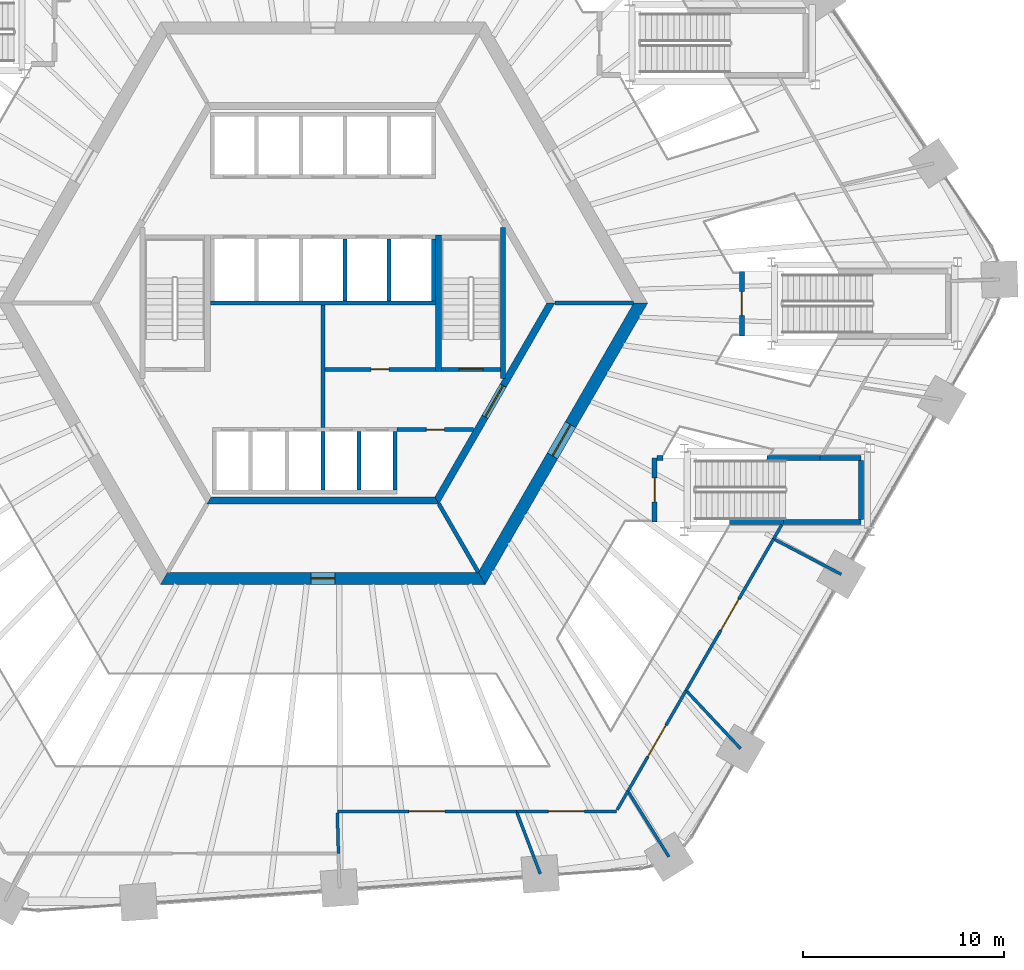
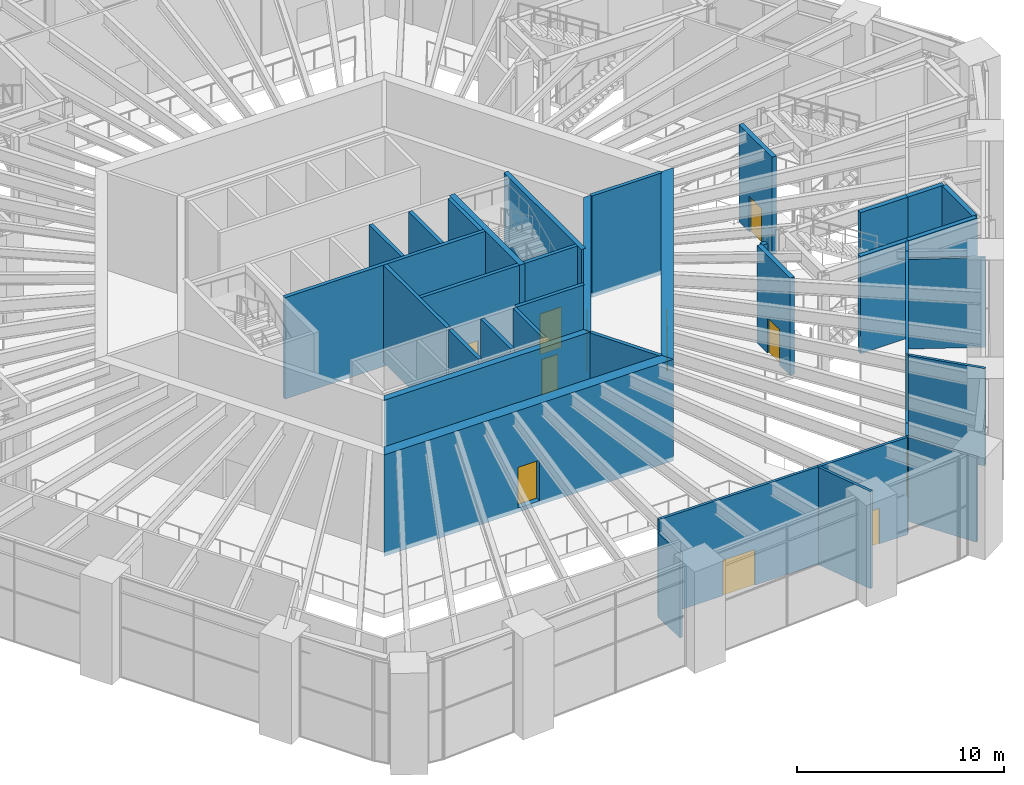
# One storey, part 22 of 32: 38 walls, 12 doors, 12 openings.
"""IFC4 building model written with IfcOpenShell, lengths in metres."""

from ifc_helpers import new_model, si_unit, direction, frame, frame_2d, origin, place, context, subcontext, project, spatial, polyline, rectangle, outline, extrude, material, layer, layer_set, type_object, element, fill, save


model = new_model("IFC4")

# Units and contexts
model_context = context("Model", 3, precision=1e-05, world=origin(), true_north=direction((0.0, 1.0)))
body_context = subcontext(model_context, "Body", "Model", "MODEL_VIEW")
ifc_project = project(units=[si_unit("LENGTHUNIT", "METRE"), si_unit("AREAUNIT", "SQUARE_METRE"), si_unit("VOLUMEUNIT", "CUBIC_METRE"), si_unit("PLANEANGLEUNIT", "RADIAN"), si_unit("MASSUNIT", "GRAM", prefix="KILO")], contexts=[model_context])

# Site, building, storey
site_placement = place(None, origin())
site = spatial("IfcSite", under=ifc_project, at=site_placement, CompositionType="ELEMENT")
building_placement = place(site_placement, origin())
building = spatial("IfcBuilding", under=site, at=building_placement, Name="Tarnside Tower", CompositionType="ELEMENT")
storey_placement = place(building_placement, frame((0.0, 0.0, 9.0)))
storey = spatial("IfcBuildingStorey", under=building, at=storey_placement, Name="L01", CompositionType="ELEMENT", Elevation=9.0)

# Wall
ifc_material_1 = material(Name="Concrete C50/60", Category="concrete")
ifc_layer_1 = layer(ifc_material_1, 0.35009765625)
ifc_layer_set_1 = layer_set([ifc_layer_1], Name="Core block wall 350 C50/60")
wall_type_1 = type_object("IfcWallType", Name="Core block wall 350 C50/60", PredefinedType="SHEAR", material=ifc_layer_set_1)
wall_1_placement = place(storey_placement, frame((-5.672607421875, -9.824951171875, -0.25), z_axis=(0.0, 0.0, 1.0), x_axis=(1.0, 0.0, 0.0)))
element("IfcWall", 1, at=wall_1_placement, inside=storey, type_object=wall_type_1, Name="L01 core block wall face 4", PredefinedType="SHEAR", context=body_context, shape_type="SweptSolid", body=[
    extrude(outline(polyline([(-0.10107421875, -0.175048828125), (11.4462890625, -0.175048828125), (11.244140625, 0.175048828125), (0.10107421875, 0.175048828125), (-0.10107421875, -0.175048828125)])), origin(), (0.0, 0.0, 1.0), 6.0),
])

# Wall, opening, door
wall_2_placement = place(storey_placement, frame((5.672607421875, -9.824951171875, -0.25), z_axis=(0.0, 0.0, 1.0), x_axis=(0.499995046907, 0.866028263435, 0.0)))
wall_2 = element("IfcWall", 2, at=wall_2_placement, inside=storey, type_object=wall_type_1, Name="L01 core block wall face 5", PredefinedType="SHEAR", context=body_context, shape_type="SweptSolid", body=[
    extrude(outline(polyline([(-0.10107421875, -0.175048828125), (11.44580078125, -0.175048828125), (11.24365234375, 0.175048828125), (0.10107421875, 0.175048828125), (-0.10107421875, -0.175048828125)])), origin(), (0.0, 0.0, 1.0), 6.0),
])
opening_1_placement = place(wall_2_placement, frame((4.80126953125, 0.0, 0.25)))
opening_1 = element("IfcOpeningElement", 3, at=opening_1_placement, cuts=wall_2, Name="Opening CD-FFL", PredefinedType="OPENING", context=body_context, shape_type="SweptSolid", body=[
    extrude(rectangle(XDim=1.800048828125, YDim=2.39990234375, at=frame_2d((0.89990234375, 1.199951171875))), frame((0.0, 0.18505859375, 0.0), z_axis=(0.0, -1.0, 0.0), x_axis=(1.0, 0.0, 0.0)), (0.0, 0.0, 1.0), 0.3701171875),
])
ifc_material_2 = material(Name="Steel fire door", Category="steel")
door_type_1 = type_object("IfcDoorType", Name="Firefighting lobby double door FD60S 1800x2400", OperationType="NOTDEFINED", PredefinedType="DOOR", material=ifc_material_2)
door_1_placement = place(opening_1_placement, origin())
door_1 = element("IfcDoor", 4, at=door_1_placement, inside=storey, type_object=door_type_1, Name="L01 lobby block door P4", OperationType="DOUBLE_DOOR_SINGLE_SWING", OverallHeight=2.39990234375, OverallWidth=1.800048828125, PredefinedType="DOOR", context=body_context, shape_type="SweptSolid", body=[
    extrude(rectangle(XDim=1.800048828125, YDim=2.39990234375, at=frame_2d((0.89990234375, 1.199951171875))), frame((0.0, 0.02490234375, 0.0), z_axis=(0.0, -1.0, 0.0), x_axis=(1.0, 0.0, 0.0)), (0.0, 0.0, 1.0), 0.050048828125),
])
fill(opening_1, door_1)

ifc_material_3 = material(Name="Concrete C40/50", Category="concrete")
ifc_layer_2 = layer(ifc_material_3, 0.199951171875)
ifc_layer_set_2 = layer_set([ifc_layer_2], Name="Core room partition 200 C40/50")
wall_type_2 = type_object("IfcWallType", Name="Core room partition 200 C40/50", PredefinedType="PARTITIONING", material=ifc_layer_set_2)
wall_3_placement = place(storey_placement, frame((0.10009765625, -3.300048828125, 0.0), z_axis=(0.0, 0.0, 1.0), x_axis=(1.0, 0.0, 0.0)))
wall_3 = element("IfcWall", 5, at=wall_3_placement, inside=storey, type_object=wall_type_2, Name="L01 core partition R3S1", PredefinedType="PARTITIONING", context=body_context, shape_type="SweptSolid", body=[
    extrude(rectangle(XDim=5.5, YDim=0.199951171875, at=frame_2d((2.75, 0.0))), origin(), (0.0, 0.0, 1.0), 5.75),
])
opening_2_placement = place(wall_3_placement, frame((2.300048828125, 0.0, 0.0)))
opening_2 = element("IfcOpeningElement", 6, at=opening_2_placement, cuts=wall_3, Name="Opening CD-room", PredefinedType="OPENING", context=body_context, shape_type="SweptSolid", body=[
    extrude(rectangle(XDim=0.89990234375, YDim=2.10009765625, at=frame_2d((0.449951171875, 1.050048828125))), frame((0.0, 0.10986328125, 0.0), z_axis=(0.0, -1.0, 0.0), x_axis=(1.0, 0.0, 0.0)), (0.0, 0.0, 1.0), 0.219970703125),
])
door_type_2 = type_object("IfcDoorType", Name="Room door FD60 900x2100", OperationType="NOTDEFINED", PredefinedType="DOOR", material=ifc_material_2)
door_2_placement = place(opening_2_placement, origin())
door_2 = element("IfcDoor", 7, at=door_2_placement, inside=storey, type_object=door_type_2, Name="L01 core room door SR1", OperationType="SINGLE_SWING_LEFT", OverallHeight=2.10009765625, OverallWidth=0.89990234375, PredefinedType="DOOR", context=body_context, shape_type="SweptSolid", body=[
    extrude(rectangle(XDim=0.89990234375, YDim=2.10009765625, at=frame_2d((0.449951171875, 1.050048828125))), frame((0.0, 0.02490234375, 0.0), z_axis=(0.0, -1.0, 0.0), x_axis=(1.0, 0.0, 0.0)), (0.0, 0.0, 1.0), 0.050048828125),
])
fill(opening_2, door_2)

# Wall
wall_4_placement = place(storey_placement, frame((0.0, -6.199951171875, 0.0), z_axis=(0.0, 0.0, 1.0), x_axis=(0.0, 1.0, 0.0)))
element("IfcWall", 8, at=wall_4_placement, inside=storey, type_object=wall_type_2, Name="L01 core partition X0", PredefinedType="PARTITIONING", context=body_context, shape_type="SweptSolid", body=[
    extrude(rectangle(XDim=6.099853515625, YDim=0.199951171875, at=frame_2d((3.0498046875, 0.0))), origin(), (0.0, 0.0, 1.0), 5.75),
])

# Wall, opening, door
wall_5_placement = place(storey_placement, frame((3.699951171875, -6.300048828125, 0.0), z_axis=(0.0, 0.0, 1.0), x_axis=(1.0, 0.0, 0.0)))
wall_5 = element("IfcWall", 9, at=wall_5_placement, inside=storey, type_object=wall_type_2, Name="L01 core partition R4X", PredefinedType="PARTITIONING", context=body_context, shape_type="SweptSolid", body=[
    extrude(rectangle(XDim=3.8056640625, YDim=0.199951171875, at=frame_2d((1.90283203125, 0.0))), origin(), (0.0, 0.0, 1.0), 5.75),
])
opening_3_placement = place(wall_5_placement, frame((1.452880859375, 0.0, 0.0)))
opening_3 = element("IfcOpeningElement", 10, at=opening_3_placement, cuts=wall_5, Name="Opening CD-room", PredefinedType="OPENING", context=body_context, shape_type="SweptSolid", body=[
    extrude(rectangle(XDim=0.89990234375, YDim=2.10009765625, at=frame_2d((0.449951171875, 1.050048828125))), frame((0.0, 0.10986328125, 0.0), z_axis=(0.0, -1.0, 0.0), x_axis=(1.0, 0.0, 0.0)), (0.0, 0.0, 1.0), 0.219970703125),
])
door_3_placement = place(opening_3_placement, origin())
door_3 = element("IfcDoor", 11, at=door_3_placement, inside=storey, type_object=door_type_2, Name="L01 core room door RX", OperationType="SINGLE_SWING_LEFT", OverallHeight=2.10009765625, OverallWidth=0.89990234375, PredefinedType="DOOR", context=body_context, shape_type="SweptSolid", body=[
    extrude(rectangle(XDim=0.89990234375, YDim=2.10009765625, at=frame_2d((0.449951171875, 1.050048828125))), frame((0.0, 0.02490234375, 0.0), z_axis=(0.0, -1.0, 0.0), x_axis=(1.0, 0.0, 0.0)), (0.0, 0.0, 1.0), 0.050048828125),
])
fill(opening_3, door_3)

ifc_material_4 = material(Name="Concrete C80/95", Category="concrete")
ifc_layer_3 = layer(ifc_material_4, 0.60009765625)
ifc_layer_set_3 = layer_set([ifc_layer_3], Name="Core wall Z1 600 C80/95")
wall_type_3 = type_object("IfcWallType", Name="Core wall Z1 600 C80/95", PredefinedType="SHEAR", material=ifc_layer_set_3)
wall_6_placement = place(storey_placement, frame((-7.90966796875, -13.699951171875, -0.25), z_axis=(0.0, 0.0, 1.0), x_axis=(1.0, 0.0, 0.0)))
wall_6 = element("IfcWall", 12, at=wall_6_placement, inside=storey, type_object=wall_type_3, Name="L01 core wall face 4", PredefinedType="SHEAR", context=body_context, shape_type="SweptSolid", body=[
    extrude(outline(polyline([(-0.17333984375, -0.300048828125), (15.99267578125, -0.300048828125), (15.64599609375, 0.300048828125), (0.17333984375, 0.300048828125), (-0.17333984375, -0.300048828125)])), origin(), (0.0, 0.0, 1.0), 6.0),
])
opening_4_placement = place(wall_6_placement, frame((7.309814453125, 0.0, 0.25)))
opening_4 = element("IfcOpeningElement", 13, at=opening_4_placement, cuts=wall_6, Name="Opening CD-RSR", PredefinedType="OPENING", context=body_context, shape_type="SweptSolid", body=[
    extrude(rectangle(XDim=1.199951171875, YDim=2.39990234375, at=frame_2d((0.60009765625, 1.199951171875))), frame((0.0, 0.31005859375, 0.0), z_axis=(0.0, -1.0, 0.0), x_axis=(1.0, 0.0, 0.0)), (0.0, 0.0, 1.0), 0.6201171875),
])
door_type_3 = type_object("IfcDoorType", Name="Riser door FD60 1200x2400", OperationType="NOTDEFINED", PredefinedType="DOOR", material=ifc_material_2)
door_4_placement = place(opening_4_placement, origin())
door_4 = element("IfcDoor", 14, at=door_4_placement, inside=storey, type_object=door_type_3, Name="L01 core door S6", OperationType="SINGLE_SWING_LEFT", OverallHeight=2.39990234375, OverallWidth=1.199951171875, PredefinedType="DOOR", context=body_context, shape_type="SweptSolid", body=[
    extrude(rectangle(XDim=1.199951171875, YDim=2.39990234375, at=frame_2d((0.60009765625, 1.199951171875))), frame((0.0, 0.02490234375, 0.0), z_axis=(0.0, -1.0, 0.0), x_axis=(1.0, 0.0, 0.0)), (0.0, 0.0, 1.0), 0.050048828125),
])
fill(opening_4, door_4)

wall_7_placement = place(storey_placement, frame((7.90966796875, -13.699951171875, -0.25), z_axis=(0.0, 0.0, 1.0), x_axis=(0.499999880136, 0.866025472988, 0.0)))
wall_7 = element("IfcWall", 15, at=wall_7_placement, inside=storey, type_object=wall_type_3, Name="L01 core wall face 5", PredefinedType="SHEAR", context=body_context, shape_type="SweptSolid", body=[
    extrude(outline(polyline([(-0.17333984375, -0.300048828125), (15.99267578125, -0.300048828125), (15.64599609375, 0.300048828125), (0.17333984375, 0.300048828125), (-0.17333984375, -0.300048828125)])), origin(), (0.0, 0.0, 1.0), 6.0),
])
opening_5_placement = place(wall_7_placement, frame((7.03857421875, 0.0, 0.25)))
opening_5 = element("IfcOpeningElement", 16, at=opening_5_placement, cuts=wall_7, Name="Opening CD-FFL", PredefinedType="OPENING", context=body_context, shape_type="SweptSolid", body=[
    extrude(rectangle(XDim=1.800048828125, YDim=2.39990234375, at=frame_2d((0.89990234375, 1.199951171875))), frame((0.0, 0.31005859375, 0.0), z_axis=(0.0, -1.0, 0.0), x_axis=(1.0, 0.0, 0.0)), (0.0, 0.0, 1.0), 0.6201171875),
])
door_5_placement = place(opening_5_placement, origin())
door_5 = element("IfcDoor", 17, at=door_5_placement, inside=storey, type_object=door_type_1, Name="L01 core door P4", OperationType="DOUBLE_DOOR_SINGLE_SWING", OverallHeight=2.39990234375, OverallWidth=1.800048828125, PredefinedType="DOOR", context=body_context, shape_type="SweptSolid", body=[
    extrude(rectangle(XDim=1.800048828125, YDim=2.39990234375, at=frame_2d((0.89990234375, 1.199951171875))), frame((0.0, 0.02490234375, 0.0), z_axis=(0.0, -1.0, 0.0), x_axis=(1.0, 0.0, 0.0)), (0.0, 0.0, 1.0), 0.050048828125),
])
fill(opening_5, door_5)

# Walls
ifc_layer_4 = layer(ifc_material_3, 0.199951171875)
ifc_layer_set_4 = layer_set([ifc_layer_4], Name="Lift shaft wall 200 C40/50")
wall_type_4 = type_object("IfcWallType", Name="Lift shaft wall 200 C40/50", PredefinedType="SHEAR", material=ifc_layer_set_4)
wall_8_placement = place(storey_placement, frame((-5.60009765625, 0.0, -0.25), z_axis=(0.0, 0.0, 1.0), x_axis=(1.0, 0.0, 0.0)))
element("IfcWall", 18, at=wall_8_placement, inside=storey, type_object=wall_type_4, Name="L01 lift shaft back wall R2", PredefinedType="SHEAR", context=body_context, shape_type="SweptSolid", body=[
    extrude(rectangle(XDim=11.2001953125, YDim=0.199951171875, at=frame_2d((5.60009765625, 0.0))), origin(), (0.0, 0.0, 1.0), 6.0),
])
for number, where, z_axis, x_axis, name in (
    (19, (1.10009765625, 0.10009765625, -0.25), (0.0, 0.0, 1.0), (0.0, 1.0, 0.0), "L01 lift shaft partition R24"),
    (20, (3.300048828125, 0.10009765625, -0.25), (0.0, 0.0, 1.0), (0.0, 1.0, 0.0), "L01 lift shaft partition R25"),
    (21, (5.5, 0.10009765625, -0.25), (0.0, 0.0, 1.0), (0.0, 1.0, 0.0), "L01 lift shaft partition R26"),
):
    element("IfcWall", number, at=place(storey_placement, frame(where, z_axis=z_axis, x_axis=x_axis)), inside=storey, type_object=wall_type_4, Name=name, PredefinedType="SHEAR", context=body_context, shape_type="SweptSolid", body=[
        extrude(rectangle(XDim=3.099853515625, YDim=0.199951171875, at=frame_2d((1.5498046875, 0.0))), origin(), (0.0, 0.0, 1.0), 6.0),
    ])
for number, where, z_axis, x_axis, name in (
    (22, (0.0, -9.300048828125, -0.25), (0.0, 0.0, 1.0), (0.0, 1.0, 0.0), "L01 lift shaft partition R44"),
    (23, (1.800048828125, -9.300048828125, -0.25), (0.0, 0.0, 1.0), (0.0, 1.0, 0.0), "L01 lift shaft partition R45"),
    (24, (3.60009765625, -9.300048828125, -0.25), (0.0, 0.0, 1.0), (0.0, 1.0, 0.0), "L01 lift shaft partition R46"),
):
    element("IfcWall", number, at=place(storey_placement, frame(where, z_axis=z_axis, x_axis=x_axis)), inside=storey, type_object=wall_type_4, Name=name, PredefinedType="SHEAR", context=body_context, shape_type="SweptSolid", body=[
        extrude(rectangle(XDim=2.900146484375, YDim=0.199951171875, at=frame_2d((1.4501953125, 0.0))), origin(), (0.0, 0.0, 1.0), 6.0),
    ])
wall_9_placement = place(storey_placement, frame((11.547119140625, 0.0, -0.25), z_axis=(0.0, 0.0, 1.0), x_axis=(1.0, 0.0, 0.0)))
element("IfcWall", 25, at=wall_9_placement, inside=storey, type_object=wall_type_4, Name="L01 core partition AR0", PredefinedType="SHEAR", context=body_context, shape_type="SweptSolid", body=[
    extrude(rectangle(XDim=3.92578125, YDim=0.199951171875, at=frame_2d((1.962890625, 0.0))), origin(), (0.0, 0.0, 1.0), 6.0),
])
wall_10_placement = place(storey_placement, frame((5.7734375, -10.0, -0.25), z_axis=(0.0, 0.0, 1.0), x_axis=(0.500038251005, -0.86600331843, 0.0)))
element("IfcWall", 26, at=wall_10_placement, inside=storey, type_object=wall_type_4, Name="L01 core partition AR300", PredefinedType="SHEAR", context=body_context, shape_type="SweptSolid", body=[
    extrude(rectangle(XDim=3.926025390625, YDim=0.199951171875, at=frame_2d((1.962890625, 0.0))), origin(), (0.0, 0.0, 1.0), 6.0),
])

# Wall, opening, door
wall_11_placement = place(storey_placement, frame((5.89990234375, -3.300048828125, -0.25), z_axis=(0.0, 0.0, 1.0), x_axis=(1.0, 0.0, 0.0)))
wall_11 = element("IfcWall", 27, at=wall_11_placement, inside=storey, type_object=wall_type_4, Name="L01 stair 1 enclosure cap wall s", PredefinedType="SHEAR", context=body_context, shape_type="SweptSolid", body=[
    extrude(rectangle(XDim=2.9501953125, YDim=0.199951171875, at=frame_2d((1.47509765625, 0.0))), origin(), (0.0, 0.0, 1.0), 6.0),
])
opening_6_placement = place(wall_11_placement, frame((0.875, 0.0, 0.25)))
opening_6 = element("IfcOpeningElement", 28, at=opening_6_placement, cuts=wall_11, Name="Opening CD-STR", PredefinedType="OPENING", context=body_context, shape_type="SweptSolid", body=[
    extrude(rectangle(XDim=1.199951171875, YDim=2.39990234375, at=frame_2d((0.60009765625, 1.199951171875))), frame((0.0, 0.10986328125, 0.0), z_axis=(0.0, -1.0, 0.0), x_axis=(1.0, 0.0, 0.0)), (0.0, 0.0, 1.0), 0.219970703125),
])
door_type_4 = type_object("IfcDoorType", Name="Stair door FD60S 1200x2400", OperationType="NOTDEFINED", PredefinedType="DOOR", material=ifc_material_2)
door_6_placement = place(opening_6_placement, origin())
door_6 = element("IfcDoor", 29, at=door_6_placement, inside=storey, type_object=door_type_4, Name="L01 stair 1 door", OperationType="SINGLE_SWING_LEFT", OverallHeight=2.39990234375, OverallWidth=1.199951171875, PredefinedType="DOOR", context=body_context, shape_type="SweptSolid", body=[
    extrude(rectangle(XDim=1.199951171875, YDim=2.39990234375, at=frame_2d((0.60009765625, 1.199951171875))), frame((0.0, 0.02490234375, 0.0), z_axis=(0.0, -1.0, 0.0), x_axis=(1.0, 0.0, 0.0)), (0.0, 0.0, 1.0), 0.050048828125),
])
fill(opening_6, door_6)

ifc_material_5 = material(Name="Gypsum board")
ifc_layer_5 = layer(ifc_material_5, 0.14990234375)
ifc_layer_set_5 = layer_set([ifc_layer_5], Name="Partition 150 gypsum board on metal stud")
wall_type_5 = type_object("IfcWallType", Name="Partition 150 gypsum board on metal stud", PredefinedType="PARTITIONING", material=ifc_layer_set_5)
wall_12_placement = place(storey_placement, frame((9.635009765625, -25.300048828125, 0.0), z_axis=(0.0, 0.0, 1.0), x_axis=(-1.0, 0.0, 0.0)))
wall_12 = element("IfcWall", 30, at=wall_12_placement, inside=storey, type_object=wall_type_5, Name="Partition 047", PredefinedType="PARTITIONING", context=body_context, shape_type="SweptSolid", body=[
    extrude(rectangle(XDim=8.9208984375, YDim=0.14990234375, at=frame_2d((4.46044921875, 0.0))), origin(), (0.0, 0.0, 1.0), 5.75),
])
opening_7_placement = place(wall_12_placement, frame((3.560546875, 0.0, 0.0)))
opening_7 = element("IfcOpeningElement", 31, at=opening_7_placement, cuts=wall_12, Name="Opening D1800F30", PredefinedType="OPENING", context=body_context, shape_type="SweptSolid", body=[
    extrude(rectangle(XDim=1.800048828125, YDim=2.10009765625, at=frame_2d((0.89990234375, 1.050048828125))), frame((0.0, 0.0849609375, 0.0), z_axis=(0.0, -1.0, 0.0), x_axis=(1.0, 0.0, 0.0)), (0.0, 0.0, 1.0), 0.169921875),
])
ifc_material_6 = material(Name="Timber door leaf", Category="wood")
door_type_5 = type_object("IfcDoorType", Name="Door pair 1800 x 2100 FD30S fire door", OperationType="NOTDEFINED", PredefinedType="DOOR", material=ifc_material_6)
door_7_placement = place(opening_7_placement, origin())
door_7 = element("IfcDoor", 32, at=door_7_placement, inside=storey, type_object=door_type_5, Name="Door L01-14", OperationType="DOUBLE_DOOR_SINGLE_SWING", OverallHeight=2.10009765625, OverallWidth=1.800048828125, PredefinedType="DOOR", context=body_context, shape_type="SweptSolid", body=[
    extrude(rectangle(XDim=1.800048828125, YDim=2.10009765625, at=frame_2d((0.89990234375, 1.050048828125))), frame((0.0, 0.02490234375, 0.0), z_axis=(0.0, -1.0, 0.0), x_axis=(1.0, 0.0, 0.0)), (0.0, 0.0, 1.0), 0.050048828125),
])
fill(opening_7, door_7)

# Wall
wall_13_placement = place(storey_placement, frame((0.77392578125, -27.409912109375, 0.0), z_axis=(0.0, 0.0, 1.0), x_axis=(-0.028422825387, 0.999595989886, 0.0)))
element("IfcWall", 33, at=wall_13_placement, inside=storey, type_object=wall_type_5, Name="Partition 048", PredefinedType="PARTITIONING", context=body_context, shape_type="SweptSolid", body=[
    extrude(rectangle(XDim=2.03564453125, YDim=0.14990234375, at=frame_2d((1.017822265625, 0.0))), origin(), (0.0, 0.0, 1.0), 4.99609375),
])

# Wall, opening, door
wall_14_placement = place(storey_placement, frame((14.60693359375, -25.300048828125, 0.0), z_axis=(0.0, 0.0, 1.0), x_axis=(-1.0, 0.0, 0.0)))
wall_14 = element("IfcWall", 34, at=wall_14_placement, inside=storey, type_object=wall_type_5, Name="Partition 052", PredefinedType="PARTITIONING", context=body_context, shape_type="SweptSolid", body=[
    extrude(rectangle(XDim=4.971923828125, YDim=0.14990234375, at=frame_2d((2.48583984375, 0.0))), origin(), (0.0, 0.0, 1.0), 5.75),
])
opening_8_placement = place(wall_14_placement, frame((1.5859375, 0.0, 0.0)))
opening_8 = element("IfcOpeningElement", 35, at=opening_8_placement, cuts=wall_14, Name="Opening D1800F30", PredefinedType="OPENING", context=body_context, shape_type="SweptSolid", body=[
    extrude(rectangle(XDim=1.800048828125, YDim=2.10009765625, at=frame_2d((0.89990234375, 1.050048828125))), frame((0.0, 0.0849609375, 0.0), z_axis=(0.0, -1.0, 0.0), x_axis=(1.0, 0.0, 0.0)), (0.0, 0.0, 1.0), 0.169921875),
])
door_8_placement = place(opening_8_placement, origin())
door_8 = element("IfcDoor", 36, at=door_8_placement, inside=storey, type_object=door_type_5, Name="Door L01-16", OperationType="DOUBLE_DOOR_SINGLE_SWING", OverallHeight=2.10009765625, OverallWidth=1.800048828125, PredefinedType="DOOR", context=body_context, shape_type="SweptSolid", body=[
    extrude(rectangle(XDim=1.800048828125, YDim=2.10009765625, at=frame_2d((0.89990234375, 1.050048828125))), frame((0.0, 0.02490234375, 0.0), z_axis=(0.0, -1.0, 0.0), x_axis=(1.0, 0.0, 0.0)), (0.0, 0.0, 1.0), 0.050048828125),
])
fill(opening_8, door_8)

# Walls
wall_15_placement = place(storey_placement, frame((10.821044921875, -28.4140625, 0.0), z_axis=(0.0, 0.0, 1.0), x_axis=(-0.355923523558, 0.934515085688, 0.0)))
element("IfcWall", 37, at=wall_15_placement, inside=storey, type_object=wall_type_5, Name="Partition 053", PredefinedType="PARTITIONING", context=body_context, shape_type="SweptSolid", body=[
    extrude(rectangle(XDim=3.251953125, YDim=0.14990234375, at=frame_2d((1.6259765625, 0.0))), origin(), (0.0, 0.0, 1.0), 5.75),
])
wall_16_placement = place(storey_placement, frame((14.650390625, -25.22509765625, 0.0), z_axis=(0.0, 0.0, 1.0), x_axis=(0.49972905027, 0.86618178018, 0.0)))
element("IfcWall", 38, at=wall_16_placement, inside=storey, type_object=wall_type_5, Name="Partition 056", PredefinedType="PARTITIONING", context=body_context, shape_type="SweptSolid", body=[
    extrude(rectangle(XDim=1.06787109375, YDim=0.14990234375, at=frame_2d((0.533935546875, 0.0))), origin(), (0.0, 0.0, 1.0), 5.75),
])

# Wall, opening, door
wall_17_placement = place(storey_placement, frame((18.080078125, -19.284912109375, 0.0), z_axis=(0.0, 0.0, 1.0), x_axis=(-0.500065471556, -0.865987600464, 0.0)))
wall_17 = element("IfcWall", 39, at=wall_17_placement, inside=storey, type_object=wall_type_5, Name="Partition 059", PredefinedType="PARTITIONING", context=body_context, shape_type="SweptSolid", body=[
    extrude(rectangle(XDim=5.791259765625, YDim=0.14990234375, at=frame_2d((2.8955078125, 0.0))), origin(), (0.0, 0.0, 1.0), 5.75),
])
opening_9_placement = place(wall_17_placement, frame((1.99560546875, 0.0, 0.0)))
opening_9 = element("IfcOpeningElement", 40, at=opening_9_placement, cuts=wall_17, Name="Opening D1800F30", PredefinedType="OPENING", context=body_context, shape_type="SweptSolid", body=[
    extrude(rectangle(XDim=1.800048828125, YDim=2.10009765625, at=frame_2d((0.89990234375, 1.050048828125))), frame((0.0, 0.0849609375, 0.0), z_axis=(0.0, -1.0, 0.0), x_axis=(1.0, 0.0, 0.0)), (0.0, 0.0, 1.0), 0.169921875),
])
door_9_placement = place(opening_9_placement, origin())
door_9 = element("IfcDoor", 41, at=door_9_placement, inside=storey, type_object=door_type_5, Name="Door L01-19", OperationType="DOUBLE_DOOR_SINGLE_SWING", OverallHeight=2.10009765625, OverallWidth=1.800048828125, PredefinedType="DOOR", context=body_context, shape_type="SweptSolid", body=[
    extrude(rectangle(XDim=1.800048828125, YDim=2.10009765625, at=frame_2d((0.89990234375, 1.050048828125))), frame((0.0, 0.02490234375, 0.0), z_axis=(0.0, -1.0, 0.0), x_axis=(1.0, 0.0, 0.0)), (0.0, 0.0, 1.0), 0.050048828125),
])
fill(opening_9, door_9)

# Wall
wall_18_placement = place(storey_placement, frame((17.22509765625, -27.56591796875, 0.0), z_axis=(0.0, 0.0, 1.0), x_axis=(-0.529987286502, 0.848005587332, 0.0)))
element("IfcWall", 42, at=wall_18_placement, inside=storey, type_object=wall_type_5, Name="Partition 064", PredefinedType="PARTITIONING", context=body_context, shape_type="SweptSolid", body=[
    extrude(rectangle(XDim=3.766357421875, YDim=0.14990234375, at=frame_2d((1.88330078125, 0.0))), origin(), (0.0, 0.0, 1.0), 4.98779296875),
])

# Wall, opening, door
wall_19_placement = place(storey_placement, frame((22.43701171875, -11.738037109375, 0.0), z_axis=(0.0, 0.0, 1.0), x_axis=(-0.499977905081, -0.866038159916, 0.0)))
wall_19 = element("IfcWall", 43, at=wall_19_placement, inside=storey, type_object=wall_type_5, Name="Partition 065", PredefinedType="PARTITIONING", context=body_context, shape_type="SweptSolid", body=[
    extrude(rectangle(XDim=8.71435546875, YDim=0.14990234375, at=frame_2d((4.357177734375, 0.0))), origin(), (0.0, 0.0, 1.0), 5.75),
])
opening_10_placement = place(wall_19_placement, frame((3.457275390625, 0.0, 0.0)))
opening_10 = element("IfcOpeningElement", 44, at=opening_10_placement, cuts=wall_19, Name="Opening D1800F30", PredefinedType="OPENING", context=body_context, shape_type="SweptSolid", body=[
    extrude(rectangle(XDim=1.800048828125, YDim=2.10009765625, at=frame_2d((0.89990234375, 1.050048828125))), frame((0.0, 0.0849609375, 0.0), z_axis=(0.0, -1.0, 0.0), x_axis=(1.0, 0.0, 0.0)), (0.0, 0.0, 1.0), 0.169921875),
])
door_10_placement = place(opening_10_placement, origin())
door_10 = element("IfcDoor", 45, at=door_10_placement, inside=storey, type_object=door_type_5, Name="Door L01-22", OperationType="DOUBLE_DOOR_SINGLE_SWING", OverallHeight=2.10009765625, OverallWidth=1.800048828125, PredefinedType="DOOR", context=body_context, shape_type="SweptSolid", body=[
    extrude(rectangle(XDim=1.800048828125, YDim=2.10009765625, at=frame_2d((0.89990234375, 1.050048828125))), frame((0.0, 0.02490234375, 0.0), z_axis=(0.0, -1.0, 0.0), x_axis=(1.0, 0.0, 0.0)), (0.0, 0.0, 1.0), 0.050048828125),
])
fill(opening_10, door_10)

# Walls
wall_20_placement = place(storey_placement, frame((20.794921875, -22.181884765625, 0.0), z_axis=(0.0, 0.0, 1.0), x_axis=(-0.683838873314, 0.729633055271, 0.0)))
element("IfcWall", 46, at=wall_20_placement, inside=storey, type_object=wall_type_5, Name="Partition 068", PredefinedType="PARTITIONING", context=body_context, shape_type="SweptSolid", body=[
    extrude(rectangle(XDim=3.891845703125, YDim=0.14990234375, at=frame_2d((1.94580078125, 0.0))), origin(), (0.0, 0.0, 1.0), 5.75),
])
wall_21_placement = place(storey_placement, frame((22.43701171875, -11.738037109375, 0.0), z_axis=(0.0, 0.0, 1.0), x_axis=(0.500124476847, 0.865953525115, 0.0)))
element("IfcWall", 47, at=wall_21_placement, inside=storey, type_object=wall_type_5, Name="Partition 073", PredefinedType="PARTITIONING", context=body_context, shape_type="SweptSolid", body=[
    extrude(rectangle(XDim=0.823486328125, YDim=0.14990234375, at=frame_2d((0.41162109375, 0.0))), origin(), (0.0, 0.0, 1.0), 5.75),
])
wall_22_placement = place(storey_placement, frame((25.806884765625, -13.5009765625, 0.0), z_axis=(0.0, 0.0, 1.0), x_axis=(-0.886064695704, 0.463561597878, 0.0)))
element("IfcWall", 48, at=wall_22_placement, inside=storey, type_object=wall_type_5, Name="Partition 082", PredefinedType="PARTITIONING", context=body_context, shape_type="SweptSolid", body=[
    extrude(rectangle(XDim=3.728271484375, YDim=0.14990234375, at=frame_2d((1.8642578125, 0.0))), origin(), (0.0, 0.0, 1.0), 5.296630859375),
])
ifc_layer_6 = layer(ifc_material_3, 0.25)
ifc_layer_set_6 = layer_set([ifc_layer_6], Name="Stair enclosure wall 250 C40/50")
wall_type_6 = type_object("IfcWallType", Name="Stair enclosure wall 250 C40/50", PredefinedType="SHEAR", material=ifc_layer_set_6)
wall_23_placement = place(storey_placement, frame((8.97509765625, -3.7548828125, -0.25), z_axis=(0.0, 0.0, 1.0), x_axis=(0.0, 1.0, 0.0)))
element("IfcWall", 49, at=wall_23_placement, inside=storey, type_object=wall_type_6, Name="L01 stair 1 enclosure wall outer", PredefinedType="SHEAR", context=body_context, shape_type="SweptSolid", body=[
    extrude(rectangle(XDim=7.509765625, YDim=0.25, at=frame_2d((3.7548828125, 0.0))), origin(), (0.0, 0.0, 1.0), 6.0),
])
ifc_layer_7 = layer(ifc_material_3, 0.300048828125)
ifc_layer_set_7 = layer_set([ifc_layer_7], Name="Stair enclosure wall 300 C40/50")
wall_type_7 = type_object("IfcWallType", Name="Stair enclosure wall 300 C40/50", PredefinedType="SHEAR", material=ifc_layer_set_7)
wall_24_placement = place(storey_placement, frame((5.75, -3.39990234375, -0.25), z_axis=(0.0, 0.0, 1.0), x_axis=(0.0, 1.0, 0.0)))
element("IfcWall", 50, at=wall_24_placement, inside=storey, type_object=wall_type_7, Name="L01 stair 1 enclosure wall inner", PredefinedType="SHEAR", context=body_context, shape_type="SweptSolid", body=[
    extrude(rectangle(XDim=6.7998046875, YDim=0.300048828125, at=frame_2d((3.39990234375, 0.0))), origin(), (0.0, 0.0, 1.0), 6.0),
])

# Wall, opening, door
ifc_material_7 = material(Name="Concrete C32/40", Category="concrete")
ifc_layer_8 = layer(ifc_material_7, 0.25)
ifc_layer_set_8 = layer_set([ifc_layer_8], Name="Wall 250 reinforced Concrete C32/40")
wall_type_8 = type_object("IfcWallType", Name="Wall 250 reinforced Concrete C32/40", PredefinedType="PARTITIONING", material=ifc_layer_set_8)
wall_25_placement = place(storey_placement, frame((16.514892578125, -10.89990234375, 0.0), z_axis=(0.0, 0.0, 1.0), x_axis=(0.0, 1.0, 0.0)))
wall_25 = element("IfcWall", 51, at=wall_25_placement, inside=storey, type_object=wall_type_8, Name="Partition 061", PredefinedType="PARTITIONING", context=body_context, shape_type="SweptSolid", body=[
    extrude(rectangle(XDim=3.199951171875, YDim=0.25, at=frame_2d((1.60009765625, 0.0))), origin(), (0.0, 0.0, 1.0), 5.75),
])
opening_11_placement = place(wall_25_placement, frame((1.0, 0.0, 0.0)))
opening_11 = element("IfcOpeningElement", 52, at=opening_11_placement, cuts=wall_25, Name="Opening D1200F60S", PredefinedType="OPENING", context=body_context, shape_type="SweptSolid", body=[
    extrude(rectangle(XDim=1.199951171875, YDim=2.10009765625, at=frame_2d((0.60009765625, 1.050048828125))), frame((0.0, 0.135009765625, 0.0), z_axis=(0.0, -1.0, 0.0), x_axis=(1.0, 0.0, 0.0)), (0.0, 0.0, 1.0), 0.27001953125),
])
door_type_6 = type_object("IfcDoorType", Name="Door 1200 x 2100 single leaf FD60S fire door", OperationType="NOTDEFINED", PredefinedType="DOOR", material=ifc_material_6)
door_11_placement = place(opening_11_placement, origin())
door_11 = element("IfcDoor", 53, at=door_11_placement, inside=storey, type_object=door_type_6, Name="Door L01-20", OperationType="SINGLE_SWING_LEFT", OverallHeight=2.10009765625, OverallWidth=1.199951171875, PredefinedType="DOOR", context=body_context, shape_type="SweptSolid", body=[
    extrude(rectangle(XDim=1.199951171875, YDim=2.10009765625, at=frame_2d((0.60009765625, 1.050048828125))), frame((0.0, 0.02490234375, 0.0), z_axis=(0.0, -1.0, 0.0), x_axis=(1.0, 0.0, 0.0)), (0.0, 0.0, 1.0), 0.050048828125),
])
fill(opening_11, door_11)

# Wall
wall_26_placement = place(storey_placement, frame((16.639892578125, -7.699951171875, 0.0), z_axis=(0.0, 0.0, 1.0), x_axis=(1.0, 0.0, 0.0)))
element("IfcWall", 54, at=wall_26_placement, inside=storey, type_object=wall_type_8, Name="Partition 062", PredefinedType="PARTITIONING", context=body_context, shape_type="SweptSolid", body=[
    extrude(rectangle(XDim=0.2880859375, YDim=0.25, at=frame_2d((0.14404296875, 0.0))), origin(), (0.0, 0.0, 1.0), 5.75),
])

# Wall, opening, door
wall_27_placement = place(storey_placement, frame((20.85498046875, -1.625, 0.0), z_axis=(0.0, 0.0, 1.0), x_axis=(0.0, 1.0, 0.0)))
wall_27 = element("IfcWall", 55, at=wall_27_placement, inside=storey, type_object=wall_type_8, Name="Partition 071", PredefinedType="PARTITIONING", context=body_context, shape_type="SweptSolid", body=[
    extrude(rectangle(XDim=3.199951171875, YDim=0.25, at=frame_2d((1.60009765625, 0.0))), origin(), (0.0, 0.0, 1.0), 5.75),
])
opening_12_placement = place(wall_27_placement, frame((1.0, 0.0, 0.0)))
opening_12 = element("IfcOpeningElement", 56, at=opening_12_placement, cuts=wall_27, Name="Opening D1200F60S", PredefinedType="OPENING", context=body_context, shape_type="SweptSolid", body=[
    extrude(rectangle(XDim=1.199951171875, YDim=2.10009765625, at=frame_2d((0.60009765625, 1.050048828125))), frame((0.0, 0.135009765625, 0.0), z_axis=(0.0, -1.0, 0.0), x_axis=(1.0, 0.0, 0.0)), (0.0, 0.0, 1.0), 0.27001953125),
])
door_12_placement = place(opening_12_placement, origin())
door_12 = element("IfcDoor", 57, at=door_12_placement, inside=storey, type_object=door_type_6, Name="Door L01-24", OperationType="SINGLE_SWING_LEFT", OverallHeight=2.10009765625, OverallWidth=1.199951171875, PredefinedType="DOOR", context=body_context, shape_type="SweptSolid", body=[
    extrude(rectangle(XDim=1.199951171875, YDim=2.10009765625, at=frame_2d((0.60009765625, 1.050048828125))), frame((0.0, 0.02490234375, 0.0), z_axis=(0.0, -1.0, 0.0), x_axis=(1.0, 0.0, 0.0)), (0.0, 0.0, 1.0), 0.050048828125),
])
fill(opening_12, door_12)

# Walls
for number, where, z_axis, x_axis, name in (
    (58, (22.10205078125, -7.699951171875, 0.0), (0.0, 0.0, 1.0), (1.0, 0.0, 0.0), "Partition 072"),
    (59, (22.930908203125, -10.89990234375, 0.0), (0.0, 0.0, 1.0), (-1.0, 0.0, 0.0), "Partition 075"),
):
    element("IfcWall", number, at=place(storey_placement, frame(where, z_axis=z_axis, x_axis=x_axis)), inside=storey, type_object=wall_type_8, Name=name, PredefinedType="PARTITIONING", context=body_context, shape_type="SweptSolid", body=[
        extrude(rectangle(XDim=2.677978515625, YDim=0.25, at=frame_2d((1.3388671875, 0.0))), origin(), (0.0, 0.0, 1.0), 5.75),
    ])
wall_28_placement = place(storey_placement, frame((24.758056640625, -7.699951171875, 0.0), z_axis=(0.0, 0.0, 1.0), x_axis=(1.0, 0.0, 0.0)))
element("IfcWall", 60, at=wall_28_placement, inside=storey, type_object=wall_type_8, Name="Partition 078", PredefinedType="PARTITIONING", context=body_context, shape_type="SweptSolid", body=[
    extrude(rectangle(XDim=2.02685546875, YDim=0.25, at=frame_2d((1.013427734375, 0.0))), origin(), (0.0, 0.0, 1.0), 5.75),
])
wall_29_placement = place(storey_placement, frame((26.784912109375, -10.89990234375, 0.0), z_axis=(0.0, 0.0, 1.0), x_axis=(-1.0, 0.0, 0.0)))
element("IfcWall", 61, at=wall_29_placement, inside=storey, type_object=wall_type_8, Name="Partition 083", PredefinedType="PARTITIONING", context=body_context, shape_type="SweptSolid", body=[
    extrude(rectangle(XDim=3.8759765625, YDim=0.25, at=frame_2d((1.93798828125, 0.0))), origin(), (0.0, 0.0, 1.0), 5.75),
])
wall_30_placement = place(storey_placement, frame((26.784912109375, -7.824951171875, 0.0), z_axis=(0.0, 0.0, 1.0), x_axis=(0.0, -1.0, 0.0)))
element("IfcWall", 62, at=wall_30_placement, inside=storey, type_object=wall_type_8, Name="Partition 084", PredefinedType="PARTITIONING", context=body_context, shape_type="SweptSolid", body=[
    extrude(rectangle(XDim=2.949951171875, YDim=0.25, at=frame_2d((1.47509765625, 0.0))), origin(), (0.0, 0.0, 1.0), 5.75),
])

save(model, "model.ifc")
